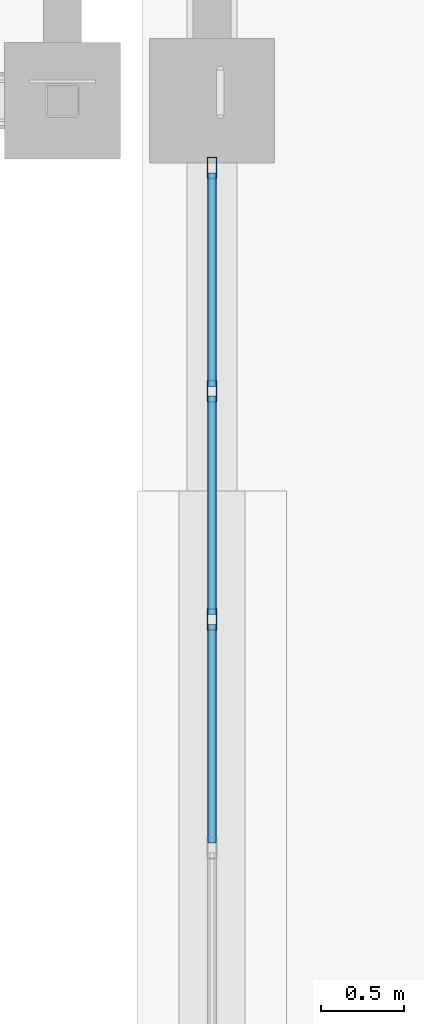
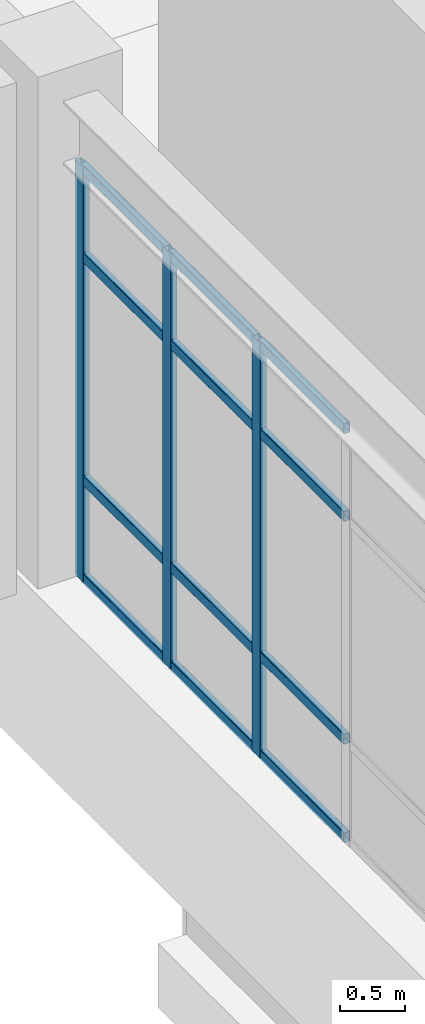
# One storey, part 42 of 139: 15 members, 1 element without a shape of its own.
"""IFC4 building model written with IfcOpenShell, lengths in metres."""

from ifc_helpers import new_model, si_unit, direction, frame, origin, origin_2d, place, context, subcontext, project, spatial, hollow_rectangle, extrude, material, material_profile, profile_set, type_object, element, aggregate, save


model = new_model("IFC4")

# Units and contexts
model_context = context("Model", 3, precision=1e-05, world=origin(), true_north=direction((0.0, 1.0)))
body_context = subcontext(model_context, "Body", "Model", "MODEL_VIEW")
ifc_project = project(units=[si_unit("LENGTHUNIT", "METRE"), si_unit("AREAUNIT", "SQUARE_METRE"), si_unit("VOLUMEUNIT", "CUBIC_METRE"), si_unit("PLANEANGLEUNIT", "RADIAN"), si_unit("MASSUNIT", "GRAM", prefix="KILO")], contexts=[model_context])

# Site, building, storey
site_placement = place(None, origin())
site = spatial("IfcSite", under=ifc_project, at=site_placement, CompositionType="ELEMENT")
building_placement = place(site_placement, origin())
building = spatial("IfcBuilding", under=site, at=building_placement, Name="Canglan Escarpment Cableway Terminal", CompositionType="ELEMENT")
storey_placement = place(building_placement, frame((0.0, 0.0, 14.39990234375)))
storey = spatial("IfcBuildingStorey", under=building, at=storey_placement, Name="L03", CompositionType="ELEMENT", Elevation=14.39990234375)

# Curtain wall, members
ifc_material_1 = material(Name="Anodized bronze aluminium and Low-E double glazing", Category="aluminium")
curtain_wall_type = type_object("IfcCurtainWallType", Name="CW-BAY-8250x3900", PredefinedType="NOTDEFINED", material=ifc_material_1)
curtain_wall_placement = place(storey_placement, origin())
curtain_wall = element("IfcCurtainWall", 1, at=curtain_wall_placement, inside=storey, type_object=curtain_wall_type, Name="Classical bay-between-piers glazed curtain wall CW-62", PredefinedType="NOTDEFINED")
ifc_material_2 = material(Name="Thermally broken anodized aluminium 6063-T6", Category="aluminium")
ifc_material_profile_1 = material_profile(ifc_material_2, hollow_rectangle(XDim=0.06005859375, YDim=0.1298828125, WallThickness=0.0029296875, InnerFilletRadius=0.0029296875, OuterFilletRadius=0.006103515625, at=origin_2d()), Name="ALU-MULL 60x130x3")
ifc_profile_set_1 = profile_set([ifc_material_profile_1], Name="Thermally broken anodized aluminium 6063-T6")
member_type_1 = type_object("IfcMemberType", Name="CWM-01", PredefinedType="MULLION", material=ifc_profile_set_1)
member_1_placement = place(storey_placement, frame((137.60009765625, 42.594970703125, 0.0), z_axis=(0.0, 0.0, 1.0), x_axis=(1.0, 0.0, 0.0)))
member_1 = element("IfcMember", 2, at=member_1_placement, type_object=member_type_1, Name="CW-62 mullion 1", PredefinedType="MULLION", context=body_context, shape_type="SweptSolid", body=[
    extrude(hollow_rectangle(XDim=0.06005859375, YDim=0.1298828125, WallThickness=0.0029296875, InnerFilletRadius=0.0029296875, OuterFilletRadius=0.006103515625, at=origin_2d()), origin(), (0.0, 0.0, 1.0), 3.89111328125),
])
member_2_placement = place(storey_placement, frame((137.60009765625, 41.25, 0.0), z_axis=(0.0, 0.0, 1.0), x_axis=(1.0, 0.0, 0.0)))
member_2 = element("IfcMember", 3, at=member_2_placement, type_object=member_type_1, Name="CW-62 mullion 2", PredefinedType="MULLION", context=body_context, shape_type="SweptSolid", body=[
    extrude(hollow_rectangle(XDim=0.06005859375, YDim=0.1298828125, WallThickness=0.0029296875, InnerFilletRadius=0.0029296875, OuterFilletRadius=0.006103515625, at=origin_2d()), origin(), (0.0, 0.0, 1.0), 3.89111328125),
])
member_3_placement = place(storey_placement, frame((137.60009765625, 39.875, 0.0), z_axis=(0.0, 0.0, 1.0), x_axis=(1.0, 0.0, 0.0)))
member_3 = element("IfcMember", 4, at=member_3_placement, type_object=member_type_1, Name="CW-62 mullion 3", PredefinedType="MULLION", context=body_context, shape_type="SweptSolid", body=[
    extrude(hollow_rectangle(XDim=0.06005859375, YDim=0.1298828125, WallThickness=0.0029296875, InnerFilletRadius=0.0029296875, OuterFilletRadius=0.006103515625, at=origin_2d()), origin(), (0.0, 0.0, 1.0), 3.89111328125),
])
ifc_material_profile_2 = material_profile(ifc_material_2, hollow_rectangle(XDim=0.054931640625, YDim=0.094970703125, WallThickness=0.0029296875, InnerFilletRadius=0.0029296875, OuterFilletRadius=0.006103515625, at=origin_2d()), Name="ALU-TRAN 55x95x3")
ifc_profile_set_2 = profile_set([ifc_material_profile_2], Name="Thermally broken anodized aluminium 6063-T6")
member_type_2 = type_object("IfcMemberType", Name="CWT-01", PredefinedType="USERDEFINED", material=ifc_profile_set_2)
member_4_placement = place(storey_placement, frame((137.60009765625, 42.56494140625, 0.027587890625), z_axis=(0.0, -1.0, 0.0), x_axis=(1.0, 0.0, 0.0)))
member_4 = element("IfcMember", 5, at=member_4_placement, type_object=member_type_2, Name="CW-62 transom 1.1", ObjectType="TRANSOM", PredefinedType="USERDEFINED", context=body_context, shape_type="SweptSolid", body=[
    extrude(hollow_rectangle(XDim=0.054931640625, YDim=0.094970703125, WallThickness=0.0029296875, InnerFilletRadius=0.0029296875, OuterFilletRadius=0.006103515625, at=origin_2d()), origin(), (0.0, 0.0, 1.0), 1.284912109375),
])
member_5_placement = place(storey_placement, frame((137.60009765625, 42.56494140625, 0.9501953125), z_axis=(0.0, -1.0, 0.0), x_axis=(1.0, 0.0, 0.0)))
member_5 = element("IfcMember", 6, at=member_5_placement, type_object=member_type_2, Name="CW-62 transom 1.2", ObjectType="TRANSOM", PredefinedType="USERDEFINED", context=body_context, shape_type="SweptSolid", body=[
    extrude(hollow_rectangle(XDim=0.054931640625, YDim=0.094970703125, WallThickness=0.0029296875, InnerFilletRadius=0.0029296875, OuterFilletRadius=0.006103515625, at=origin_2d()), origin(), (0.0, 0.0, 1.0), 1.284912109375),
])
member_6_placement = place(storey_placement, frame((137.60009765625, 42.56494140625, 3.041015625), z_axis=(0.0, -1.0, 0.0), x_axis=(1.0, 0.0, 0.0)))
member_6 = element("IfcMember", 7, at=member_6_placement, type_object=member_type_2, Name="CW-62 transom 1.3", ObjectType="TRANSOM", PredefinedType="USERDEFINED", context=body_context, shape_type="SweptSolid", body=[
    extrude(hollow_rectangle(XDim=0.054931640625, YDim=0.094970703125, WallThickness=0.0029296875, InnerFilletRadius=0.0029296875, OuterFilletRadius=0.006103515625, at=origin_2d()), origin(), (0.0, 0.0, 1.0), 1.284912109375),
])
member_7_placement = place(storey_placement, frame((137.60009765625, 42.56494140625, 3.863525390625), z_axis=(0.0, -1.0, 0.0), x_axis=(1.0, 0.0, 0.0)))
member_7 = element("IfcMember", 8, at=member_7_placement, type_object=member_type_2, Name="CW-62 transom 1.4", ObjectType="TRANSOM", PredefinedType="USERDEFINED", context=body_context, shape_type="SweptSolid", body=[
    extrude(hollow_rectangle(XDim=0.054931640625, YDim=0.094970703125, WallThickness=0.0029296875, InnerFilletRadius=0.0029296875, OuterFilletRadius=0.006103515625, at=origin_2d()), origin(), (0.0, 0.0, 1.0), 1.284912109375),
])
member_8_placement = place(storey_placement, frame((137.60009765625, 41.219970703125, 0.027587890625), z_axis=(0.0, -1.0, 0.0), x_axis=(1.0, 0.0, 0.0)))
member_8 = element("IfcMember", 9, at=member_8_placement, type_object=member_type_2, Name="CW-62 transom 2.1", ObjectType="TRANSOM", PredefinedType="USERDEFINED", context=body_context, shape_type="SweptSolid", body=[
    extrude(hollow_rectangle(XDim=0.054931640625, YDim=0.094970703125, WallThickness=0.0029296875, InnerFilletRadius=0.0029296875, OuterFilletRadius=0.006103515625, at=origin_2d()), origin(), (0.0, 0.0, 1.0), 1.31494140625),
])
member_9_placement = place(storey_placement, frame((137.60009765625, 41.219970703125, 0.9501953125), z_axis=(0.0, -1.0, 0.0), x_axis=(1.0, 0.0, 0.0)))
member_9 = element("IfcMember", 10, at=member_9_placement, type_object=member_type_2, Name="CW-62 transom 2.2", ObjectType="TRANSOM", PredefinedType="USERDEFINED", context=body_context, shape_type="SweptSolid", body=[
    extrude(hollow_rectangle(XDim=0.054931640625, YDim=0.094970703125, WallThickness=0.0029296875, InnerFilletRadius=0.0029296875, OuterFilletRadius=0.006103515625, at=origin_2d()), origin(), (0.0, 0.0, 1.0), 1.31494140625),
])
member_10_placement = place(storey_placement, frame((137.60009765625, 41.219970703125, 3.041015625), z_axis=(0.0, -1.0, 0.0), x_axis=(1.0, 0.0, 0.0)))
member_10 = element("IfcMember", 11, at=member_10_placement, type_object=member_type_2, Name="CW-62 transom 2.3", ObjectType="TRANSOM", PredefinedType="USERDEFINED", context=body_context, shape_type="SweptSolid", body=[
    extrude(hollow_rectangle(XDim=0.054931640625, YDim=0.094970703125, WallThickness=0.0029296875, InnerFilletRadius=0.0029296875, OuterFilletRadius=0.006103515625, at=origin_2d()), origin(), (0.0, 0.0, 1.0), 1.31494140625),
])
member_11_placement = place(storey_placement, frame((137.60009765625, 41.219970703125, 3.863525390625), z_axis=(0.0, -1.0, 0.0), x_axis=(1.0, 0.0, 0.0)))
member_11 = element("IfcMember", 12, at=member_11_placement, type_object=member_type_2, Name="CW-62 transom 2.4", ObjectType="TRANSOM", PredefinedType="USERDEFINED", context=body_context, shape_type="SweptSolid", body=[
    extrude(hollow_rectangle(XDim=0.054931640625, YDim=0.094970703125, WallThickness=0.0029296875, InnerFilletRadius=0.0029296875, OuterFilletRadius=0.006103515625, at=origin_2d()), origin(), (0.0, 0.0, 1.0), 1.31494140625),
])
member_12_placement = place(storey_placement, frame((137.60009765625, 39.844970703125, 0.027587890625), z_axis=(0.0, -1.0, 0.0), x_axis=(1.0, 0.0, 0.0)))
member_12 = element("IfcMember", 13, at=member_12_placement, type_object=member_type_2, Name="CW-62 transom 3.1", ObjectType="TRANSOM", PredefinedType="USERDEFINED", context=body_context, shape_type="SweptSolid", body=[
    extrude(hollow_rectangle(XDim=0.054931640625, YDim=0.094970703125, WallThickness=0.0029296875, InnerFilletRadius=0.0029296875, OuterFilletRadius=0.006103515625, at=origin_2d()), origin(), (0.0, 0.0, 1.0), 1.31494140625),
])
member_13_placement = place(storey_placement, frame((137.60009765625, 39.844970703125, 0.9501953125), z_axis=(0.0, -1.0, 0.0), x_axis=(1.0, 0.0, 0.0)))
member_13 = element("IfcMember", 14, at=member_13_placement, type_object=member_type_2, Name="CW-62 transom 3.2", ObjectType="TRANSOM", PredefinedType="USERDEFINED", context=body_context, shape_type="SweptSolid", body=[
    extrude(hollow_rectangle(XDim=0.054931640625, YDim=0.094970703125, WallThickness=0.0029296875, InnerFilletRadius=0.0029296875, OuterFilletRadius=0.006103515625, at=origin_2d()), origin(), (0.0, 0.0, 1.0), 1.31494140625),
])
member_14_placement = place(storey_placement, frame((137.60009765625, 39.844970703125, 3.041015625), z_axis=(0.0, -1.0, 0.0), x_axis=(1.0, 0.0, 0.0)))
member_14 = element("IfcMember", 15, at=member_14_placement, type_object=member_type_2, Name="CW-62 transom 3.3", ObjectType="TRANSOM", PredefinedType="USERDEFINED", context=body_context, shape_type="SweptSolid", body=[
    extrude(hollow_rectangle(XDim=0.054931640625, YDim=0.094970703125, WallThickness=0.0029296875, InnerFilletRadius=0.0029296875, OuterFilletRadius=0.006103515625, at=origin_2d()), origin(), (0.0, 0.0, 1.0), 1.31494140625),
])
member_15_placement = place(storey_placement, frame((137.60009765625, 39.844970703125, 3.863525390625), z_axis=(0.0, -1.0, 0.0), x_axis=(1.0, 0.0, 0.0)))
member_15 = element("IfcMember", 16, at=member_15_placement, type_object=member_type_2, Name="CW-62 transom 3.4", ObjectType="TRANSOM", PredefinedType="USERDEFINED", context=body_context, shape_type="SweptSolid", body=[
    extrude(hollow_rectangle(XDim=0.054931640625, YDim=0.094970703125, WallThickness=0.0029296875, InnerFilletRadius=0.0029296875, OuterFilletRadius=0.006103515625, at=origin_2d()), origin(), (0.0, 0.0, 1.0), 1.31494140625),
])
aggregate(curtain_wall, [member_1, member_2, member_3, member_4, member_5, member_6, member_7, member_8, member_9, member_10, member_11, member_12, member_13, member_14, member_15])

save(model, "model.ifc")
